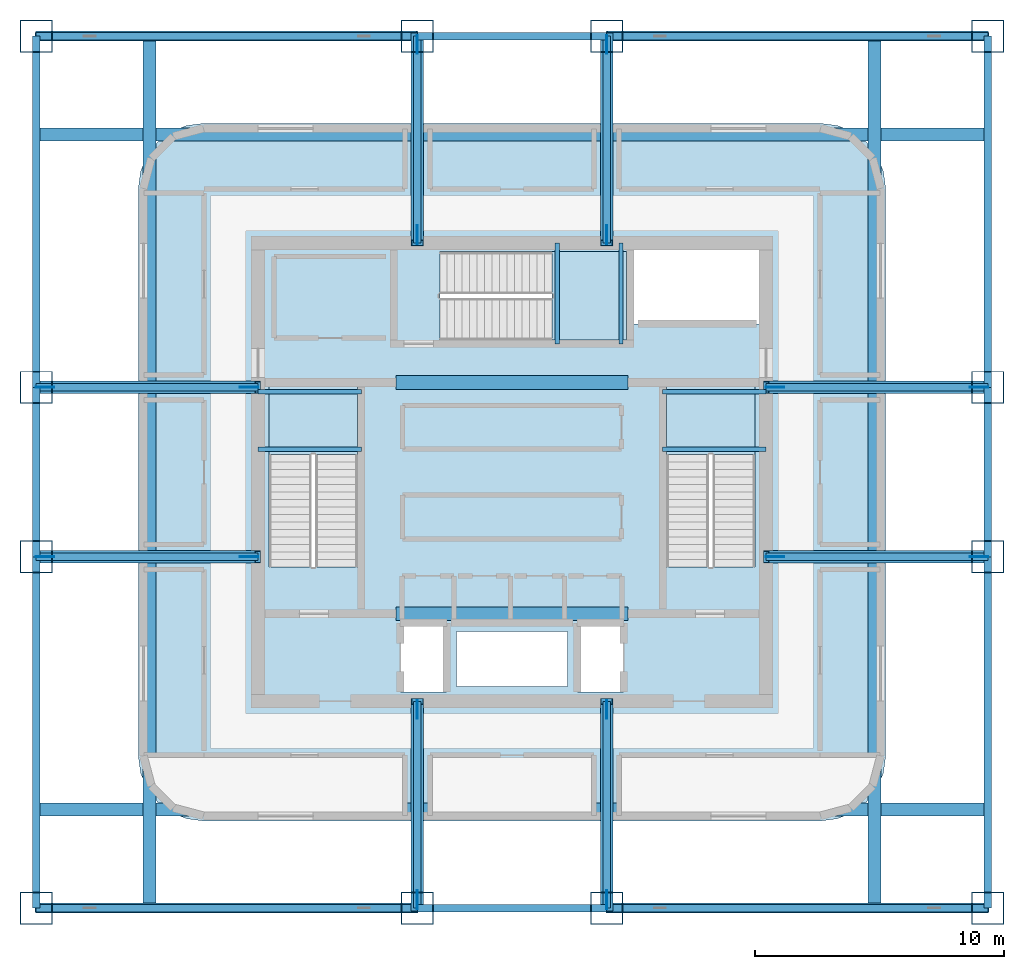
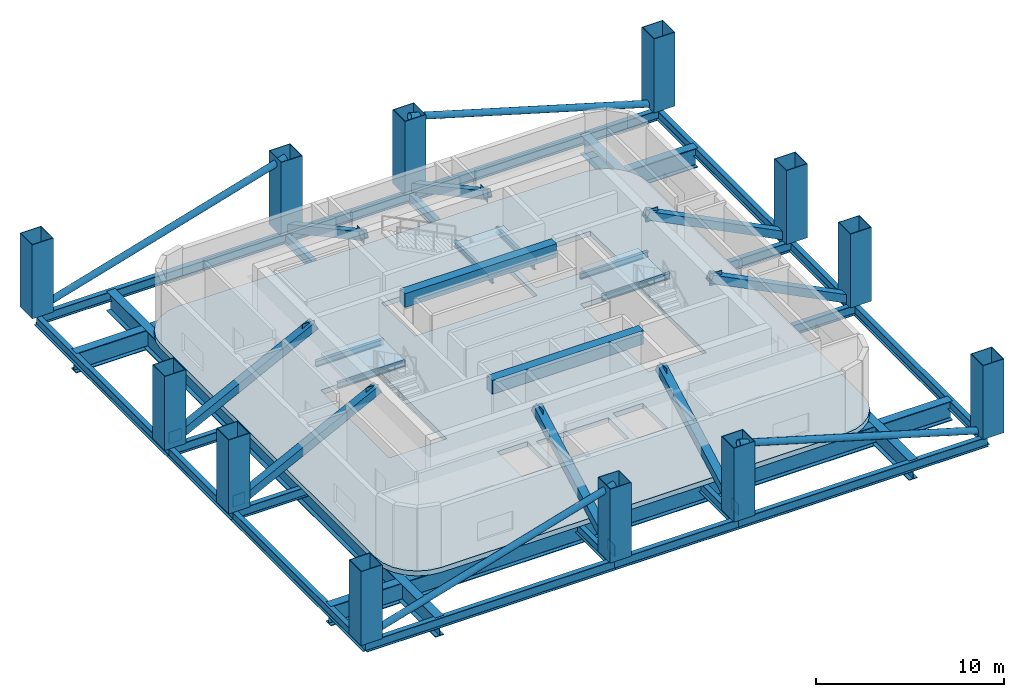
# One storey, part 1 of 8: 32 beams, 16 plates, 12 columns, 12 members, 4 slabs, 3 elements without a shape of their own.
"""IFC4 building model written with IfcOpenShell, lengths in metres."""

from ifc_helpers import new_model, si_unit, direction, frame, origin, origin_2d, place, context, subcontext, project, spatial, polyline, rectangle, hollow_rectangle, hollow_circle, i_section, outline, extrude, material, layer, layer_set, material_profile, profile_set, type_object, element, aggregate, save


model = new_model("IFC4")

# Units and contexts
model_context = context("Model", 3, precision=1e-05, world=origin(), true_north=direction((0.0, 1.0)))
body_context = subcontext(model_context, "Body", "Model", "MODEL_VIEW")
ifc_project = project(units=[si_unit("LENGTHUNIT", "METRE"), si_unit("AREAUNIT", "SQUARE_METRE"), si_unit("VOLUMEUNIT", "CUBIC_METRE"), si_unit("PLANEANGLEUNIT", "RADIAN"), si_unit("MASSUNIT", "GRAM", prefix="KILO")], contexts=[model_context])

# Site, building, storey
site_placement = place(None, origin())
site = spatial("IfcSite", under=ifc_project, at=site_placement, CompositionType="ELEMENT")
building_placement = place(site_placement, origin())
building = spatial("IfcBuilding", under=site, at=building_placement, Name="Punatoya Terracotta Tower", CompositionType="ELEMENT")
storey_placement = place(building_placement, frame((0.0, 0.0, 241.800048828125)))
storey = spatial("IfcBuildingStorey", under=building, at=storey_placement, Name="L57", CompositionType="ELEMENT", Elevation=241.800048828125)

# Columns
ifc_material_1 = material(Name="Steel S460", Category="steel")
ifc_material_profile_1 = material_profile(ifc_material_1, hollow_rectangle(XDim=1.300048828125, YDim=1.300048828125, WallThickness=0.0380859375, at=origin_2d()))
ifc_profile_set_1 = profile_set([ifc_material_profile_1], Name="Steel S460")
column_type = type_object("IfcColumnType", Name="COL-MC-Z3", PredefinedType="COLUMN", material=ifc_profile_set_1)
for number, where, z_axis, x_axis, name in (
    (1, (-19.10009765625, -17.5, 0.0), (0.0, 0.0, 1.0), (1.0, 0.0, 0.0), "L57 Composite Mega-Column MC-01 (3-B)"),
    (2, (-3.800048828125, -17.5, 0.0), (0.0, 0.0, 1.0), (1.0, 0.0, 0.0), "L57 Composite Mega-Column MC-02 (5-B)"),
    (3, (3.800048828125, -17.5, 0.0), (0.0, 0.0, 1.0), (1.0, 0.0, 0.0), "L57 Composite Mega-Column MC-03 (7-B)"),
    (4, (19.10009765625, -17.5, 0.0), (0.0, 0.0, 1.0), (1.0, 0.0, 0.0), "L57 Composite Mega-Column MC-04 (9-B)"),
    (5, (19.10009765625, -3.39990234375, 0.0), (0.0, 0.0, 1.0), (1.0, 0.0, 0.0), "L57 Composite Mega-Column MC-05 (9-D)"),
    (6, (19.10009765625, 3.39990234375, 0.0), (0.0, 0.0, 1.0), (1.0, 0.0, 0.0), "L57 Composite Mega-Column MC-06 (9-E)"),
    (7, (19.10009765625, 17.5, 0.0), (0.0, 0.0, 1.0), (1.0, 0.0, 0.0), "L57 Composite Mega-Column MC-07 (9-G)"),
    (8, (3.800048828125, 17.5, 0.0), (0.0, 0.0, 1.0), (1.0, 0.0, 0.0), "L57 Composite Mega-Column MC-08 (7-G)"),
    (9, (-3.800048828125, 17.5, 0.0), (0.0, 0.0, 1.0), (1.0, 0.0, 0.0), "L57 Composite Mega-Column MC-09 (5-G)"),
    (10, (-19.10009765625, 17.5, 0.0), (0.0, 0.0, 1.0), (1.0, 0.0, 0.0), "L57 Composite Mega-Column MC-10 (3-G)"),
    (11, (-19.10009765625, 3.39990234375, 0.0), (0.0, 0.0, 1.0), (1.0, 0.0, 0.0), "L57 Composite Mega-Column MC-11 (3-E)"),
    (12, (-19.10009765625, -3.39990234375, 0.0), (0.0, 0.0, 1.0), (1.0, 0.0, 0.0), "L57 Composite Mega-Column MC-12 (3-D)"),
):
    element("IfcColumn", number, at=place(storey_placement, frame(where, z_axis=z_axis, x_axis=x_axis)), inside=storey, type_object=column_type, Name=name, PredefinedType="COLUMN", context=body_context, shape_type="SweptSolid", body=[
        extrude(hollow_rectangle(XDim=1.300048828125, YDim=1.300048828125, WallThickness=0.0380859375, at=origin_2d()), origin(), (0.0, 0.0, 1.0), 4.800048828125),
    ])

# Beams
ifc_material_2 = material(Name="Steel S355", Category="steel")
ifc_material_profile_2 = material_profile(ifc_material_2, i_section(OverallWidth=0.300048828125, OverallDepth=0.64990234375, WebThickness=0.01611328125, FlangeThickness=0.031005859375, FilletRadius=0.01806640625, at=origin_2d()))
ifc_profile_set_2 = profile_set([ifc_material_profile_2], Name="Steel S355")
beam_type_1 = type_object("IfcBeamType", Name="BM-PRI-650", PredefinedType="BEAM", material=ifc_profile_set_2)
beam_1_placement = place(storey_placement, frame((-19.10009765625, -17.5, -0.64501953125), z_axis=(1.0, 0.0, 0.0), x_axis=(0.0, 1.0, 0.0)))
element("IfcBeam", 13, at=beam_1_placement, inside=storey, type_object=beam_type_1, Name="BM-L57-RG-S1", PredefinedType="BEAM", context=body_context, shape_type="SweptSolid", body=[
    extrude(i_section(OverallWidth=0.300048828125, OverallDepth=0.64990234375, WebThickness=0.01611328125, FlangeThickness=0.031005859375, FilletRadius=0.01806640625, at=origin_2d()), origin(), (0.0, 0.0, 1.0), 15.300048828125),
])
beam_2_placement = place(storey_placement, frame((-3.800048828125, -17.5, -0.64501953125), z_axis=(1.0, 0.0, 0.0), x_axis=(0.0, 1.0, 0.0)))
element("IfcBeam", 14, at=beam_2_placement, inside=storey, type_object=beam_type_1, Name="BM-L57-RG-S2", PredefinedType="BEAM", context=body_context, shape_type="SweptSolid", body=[
    extrude(i_section(OverallWidth=0.300048828125, OverallDepth=0.64990234375, WebThickness=0.01611328125, FlangeThickness=0.031005859375, FilletRadius=0.01806640625, at=origin_2d()), origin(), (0.0, 0.0, 1.0), 7.60009765625),
])
for number, where, z_axis, x_axis, name in (
    (15, (3.800048828125, -17.5, -0.64501953125), (1.0, 0.0, 0.0), (0.0, 1.0, 0.0), "BM-L57-RG-S3"),
    (16, (-19.10009765625, 17.5, -0.64501953125), (1.0, 0.0, 0.0), (0.0, 1.0, 0.0), "BM-L57-RG-N1"),
):
    element("IfcBeam", number, at=place(storey_placement, frame(where, z_axis=z_axis, x_axis=x_axis)), inside=storey, type_object=beam_type_1, Name=name, PredefinedType="BEAM", context=body_context, shape_type="SweptSolid", body=[
        extrude(i_section(OverallWidth=0.300048828125, OverallDepth=0.64990234375, WebThickness=0.01611328125, FlangeThickness=0.031005859375, FilletRadius=0.01806640625, at=origin_2d()), origin(), (0.0, 0.0, 1.0), 15.300048828125),
    ])
beam_3_placement = place(storey_placement, frame((-3.800048828125, 17.5, -0.64501953125), z_axis=(1.0, 0.0, 0.0), x_axis=(0.0, 1.0, 0.0)))
element("IfcBeam", 17, at=beam_3_placement, inside=storey, type_object=beam_type_1, Name="BM-L57-RG-N2", PredefinedType="BEAM", context=body_context, shape_type="SweptSolid", body=[
    extrude(i_section(OverallWidth=0.300048828125, OverallDepth=0.64990234375, WebThickness=0.01611328125, FlangeThickness=0.031005859375, FilletRadius=0.01806640625, at=origin_2d()), origin(), (0.0, 0.0, 1.0), 7.60009765625),
])
beam_4_placement = place(storey_placement, frame((3.800048828125, 17.5, -0.64501953125), z_axis=(1.0, 0.0, 0.0), x_axis=(0.0, 1.0, 0.0)))
element("IfcBeam", 18, at=beam_4_placement, inside=storey, type_object=beam_type_1, Name="BM-L57-RG-N3", PredefinedType="BEAM", context=body_context, shape_type="SweptSolid", body=[
    extrude(i_section(OverallWidth=0.300048828125, OverallDepth=0.64990234375, WebThickness=0.01611328125, FlangeThickness=0.031005859375, FilletRadius=0.01806640625, at=origin_2d()), origin(), (0.0, 0.0, 1.0), 15.300048828125),
])
beam_5_placement = place(storey_placement, frame((-19.10009765625, -17.5, -0.64501953125), z_axis=(0.0, 1.0, 0.0), x_axis=(-1.0, 0.0, 0.0)))
element("IfcBeam", 19, at=beam_5_placement, inside=storey, type_object=beam_type_1, Name="BM-L57-RG-W1", PredefinedType="BEAM", context=body_context, shape_type="SweptSolid", body=[
    extrude(i_section(OverallWidth=0.300048828125, OverallDepth=0.64990234375, WebThickness=0.01611328125, FlangeThickness=0.031005859375, FilletRadius=0.01806640625, at=origin_2d()), origin(), (0.0, 0.0, 1.0), 14.10009765625),
])
beam_6_placement = place(storey_placement, frame((-19.10009765625, -3.39990234375, -0.64501953125), z_axis=(0.0, 1.0, 0.0), x_axis=(-1.0, 0.0, 0.0)))
element("IfcBeam", 20, at=beam_6_placement, inside=storey, type_object=beam_type_1, Name="BM-L57-RG-W2", PredefinedType="BEAM", context=body_context, shape_type="SweptSolid", body=[
    extrude(i_section(OverallWidth=0.300048828125, OverallDepth=0.64990234375, WebThickness=0.01611328125, FlangeThickness=0.031005859375, FilletRadius=0.01806640625, at=origin_2d()), origin(), (0.0, 0.0, 1.0), 6.7998046875),
])
for number, where, z_axis, x_axis, name in (
    (21, (-19.10009765625, 3.39990234375, -0.64501953125), (0.0, 1.0, 0.0), (-1.0, 0.0, 0.0), "BM-L57-RG-W3"),
    (22, (19.10009765625, -17.5, -0.64501953125), (0.0, 1.0, 0.0), (-1.0, 0.0, 0.0), "BM-L57-RG-E1"),
):
    element("IfcBeam", number, at=place(storey_placement, frame(where, z_axis=z_axis, x_axis=x_axis)), inside=storey, type_object=beam_type_1, Name=name, PredefinedType="BEAM", context=body_context, shape_type="SweptSolid", body=[
        extrude(i_section(OverallWidth=0.300048828125, OverallDepth=0.64990234375, WebThickness=0.01611328125, FlangeThickness=0.031005859375, FilletRadius=0.01806640625, at=origin_2d()), origin(), (0.0, 0.0, 1.0), 14.10009765625),
    ])
beam_7_placement = place(storey_placement, frame((19.10009765625, -3.39990234375, -0.64501953125), z_axis=(0.0, 1.0, 0.0), x_axis=(-1.0, 0.0, 0.0)))
element("IfcBeam", 23, at=beam_7_placement, inside=storey, type_object=beam_type_1, Name="BM-L57-RG-E2", PredefinedType="BEAM", context=body_context, shape_type="SweptSolid", body=[
    extrude(i_section(OverallWidth=0.300048828125, OverallDepth=0.64990234375, WebThickness=0.01611328125, FlangeThickness=0.031005859375, FilletRadius=0.01806640625, at=origin_2d()), origin(), (0.0, 0.0, 1.0), 6.7998046875),
])
beam_8_placement = place(storey_placement, frame((19.10009765625, 3.39990234375, -0.64501953125), z_axis=(0.0, 1.0, 0.0), x_axis=(-1.0, 0.0, 0.0)))
element("IfcBeam", 24, at=beam_8_placement, inside=storey, type_object=beam_type_1, Name="BM-L57-RG-E3", PredefinedType="BEAM", context=body_context, shape_type="SweptSolid", body=[
    extrude(i_section(OverallWidth=0.300048828125, OverallDepth=0.64990234375, WebThickness=0.01611328125, FlangeThickness=0.031005859375, FilletRadius=0.01806640625, at=origin_2d()), origin(), (0.0, 0.0, 1.0), 14.10009765625),
])
for number, where, z_axis, x_axis, name in (
    (25, (-19.10009765625, -3.39990234375, -0.64501953125), (1.0, 0.0, 0.0), (0.0, 1.0, 0.0), "BM-L57-PR-WD"),
    (26, (-19.10009765625, 3.39990234375, -0.64501953125), (1.0, 0.0, 0.0), (0.0, 1.0, 0.0), "BM-L57-PR-WE"),
    (27, (10.199951171875, -3.39990234375, -0.64501953125), (1.0, 0.0, 0.0), (0.0, 1.0, 0.0), "BM-L57-PR-ED"),
    (28, (10.199951171875, 3.39990234375, -0.64501953125), (1.0, 0.0, 0.0), (0.0, 1.0, 0.0), "BM-L57-PR-EE"),
):
    element("IfcBeam", number, at=place(storey_placement, frame(where, z_axis=z_axis, x_axis=x_axis)), inside=storey, type_object=beam_type_1, Name=name, PredefinedType="BEAM", context=body_context, shape_type="SweptSolid", body=[
        extrude(i_section(OverallWidth=0.300048828125, OverallDepth=0.64990234375, WebThickness=0.01611328125, FlangeThickness=0.031005859375, FilletRadius=0.01806640625, at=origin_2d()), origin(), (0.0, 0.0, 1.0), 8.900146484375),
    ])
for number, where, z_axis, x_axis, name in (
    (29, (-3.800048828125, -17.5, -0.64501953125), (0.0, 1.0, 0.0), (-1.0, 0.0, 0.0), "BM-L57-PR-S2"),
    (30, (3.800048828125, -17.5, -0.64501953125), (0.0, 1.0, 0.0), (-1.0, 0.0, 0.0), "BM-L57-PR-S3"),
    (31, (-3.800048828125, 9.199951171875, -0.64501953125), (0.0, 1.0, 0.0), (-1.0, 0.0, 0.0), "BM-L57-PR-N2"),
    (32, (3.800048828125, 9.199951171875, -0.64501953125), (0.0, 1.0, 0.0), (-1.0, 0.0, 0.0), "BM-L57-PR-N3"),
):
    element("IfcBeam", number, at=place(storey_placement, frame(where, z_axis=z_axis, x_axis=x_axis)), inside=storey, type_object=beam_type_1, Name=name, PredefinedType="BEAM", context=body_context, shape_type="SweptSolid", body=[
        extrude(i_section(OverallWidth=0.300048828125, OverallDepth=0.64990234375, WebThickness=0.01611328125, FlangeThickness=0.031005859375, FilletRadius=0.01806640625, at=origin_2d()), origin(), (0.0, 0.0, 1.0), 8.300048828125),
    ])
ifc_material_3 = material(Name="Concrete C50/60", Category="concrete")
ifc_material_profile_3 = material_profile(ifc_material_3, rectangle(XDim=0.550048828125, YDim=0.89990234375, at=origin_2d()))
ifc_profile_set_3 = profile_set([ifc_material_profile_3], Name="Concrete C50/60")
beam_type_2 = type_object("IfcBeamType", Name="BM-RC-900", PredefinedType="LINTEL", material=ifc_profile_set_3)
for number, where, z_axis, x_axis, name in (
    (33, (-4.64990234375, -5.679931640625, 4.08984375), (1.0, 0.0, 0.0), (0.0, 1.0, 0.0), "L57 Core Coupling Lintel CSW"),
    (34, (-4.64990234375, 3.60009765625, 4.08984375), (1.0, 0.0, 0.0), (0.0, 1.0, 0.0), "L57 Core Coupling Lintel CNW"),
):
    element("IfcBeam", number, at=place(storey_placement, frame(where, z_axis=z_axis, x_axis=x_axis)), inside=storey, type_object=beam_type_2, Name=name, PredefinedType="LINTEL", context=body_context, shape_type="SweptSolid", body=[
        extrude(rectangle(XDim=0.550048828125, YDim=0.89990234375, at=origin_2d()), origin(), (0.0, 0.0, 1.0), 9.2998046875),
    ])
ifc_material_profile_4 = material_profile(ifc_material_2, i_section(OverallWidth=0.169921875, OverallDepth=0.360107421875, WebThickness=0.008056640625, FlangeThickness=0.0126953125, FilletRadius=0.01806640625, at=origin_2d()))
ifc_profile_set_4 = profile_set([ifc_material_profile_4], Name="Steel S355")
beam_type_3 = type_object("IfcBeamType", Name="BM-SEC-360", PredefinedType="JOIST", material=ifc_profile_set_4)
for number, where, z_axis, x_axis, name in (
    (35, (-10.199951171875, 0.919921875, 2.02001953125), (1.0, 0.0, 0.0), (0.0, 1.0, 0.0), "BM-L57-ST-1-LD1A"),
    (36, (-10.199951171875, 3.22998046875, 2.02001953125), (1.0, 0.0, 0.0), (0.0, 1.0, 0.0), "BM-L57-ST-1-LD1B"),
    (37, (6.050048828125, 0.919921875, 2.02001953125), (1.0, 0.0, 0.0), (0.0, 1.0, 0.0), "BM-L57-ST-2-LD1A"),
    (38, (6.050048828125, 3.22998046875, 2.02001953125), (1.0, 0.0, 0.0), (0.0, 1.0, 0.0), "BM-L57-ST-2-LD1B"),
):
    element("IfcBeam", number, at=place(storey_placement, frame(where, z_axis=z_axis, x_axis=x_axis)), inside=storey, type_object=beam_type_3, Name=name, PredefinedType="JOIST", context=body_context, shape_type="SweptSolid", body=[
        extrude(i_section(OverallWidth=0.169921875, OverallDepth=0.360107421875, WebThickness=0.008056640625, FlangeThickness=0.0126953125, FilletRadius=0.01806640625, at=origin_2d()), origin(), (0.0, 0.0, 1.0), 4.14990234375),
    ])
for number, where, z_axis, x_axis, name in (
    (39, (1.820068359375, 5.14990234375, 2.02001953125), (0.0, 1.0, 0.0), (-1.0, 0.0, 0.0), "BM-L57-ST-3-LD1A"),
    (40, (4.3798828125, 5.14990234375, 2.02001953125), (0.0, 1.0, 0.0), (-1.0, 0.0, 0.0), "BM-L57-ST-3-LD1B"),
):
    element("IfcBeam", number, at=place(storey_placement, frame(where, z_axis=z_axis, x_axis=x_axis)), inside=storey, type_object=beam_type_3, Name=name, PredefinedType="JOIST", context=body_context, shape_type="SweptSolid", body=[
        extrude(i_section(OverallWidth=0.169921875, OverallDepth=0.360107421875, WebThickness=0.008056640625, FlangeThickness=0.0126953125, FilletRadius=0.01806640625, at=origin_2d()), origin(), (0.0, 0.0, 1.0), 4.050048828125),
    ])
ifc_material_profile_5 = material_profile(ifc_material_1, i_section(OverallWidth=0.52001953125, OverallDepth=1.280029296875, WebThickness=0.031982421875, FlangeThickness=0.050048828125, FilletRadius=0.01806640625, at=origin_2d()))
ifc_profile_set_5 = profile_set([ifc_material_profile_5], Name="Steel S460")
beam_type_4 = type_object("IfcBeamType", Name="BM-TG-NCK", PredefinedType="BEAM", material=ifc_profile_set_5)
for number, where, z_axis, x_axis, name in (
    (41, (-19.10009765625, -13.550048828125, -0.9599609375), (1.0, 0.0, 0.0), (0.0, 1.0, 0.0), "BM-L57-NCK-S"),
    (42, (-19.10009765625, 13.550048828125, -0.9599609375), (1.0, 0.0, 0.0), (0.0, 1.0, 0.0), "BM-L57-NCK-N"),
):
    element("IfcBeam", number, at=place(storey_placement, frame(where, z_axis=z_axis, x_axis=x_axis)), inside=storey, type_object=beam_type_4, Name=name, PredefinedType="BEAM", context=body_context, shape_type="SweptSolid", body=[
        extrude(i_section(OverallWidth=0.52001953125, OverallDepth=1.280029296875, WebThickness=0.031982421875, FlangeThickness=0.050048828125, FilletRadius=0.01806640625, at=origin_2d()), origin(), (0.0, 0.0, 1.0), 38.2001953125),
    ])
for number, where, z_axis, x_axis, name in (
    (43, (-14.550048828125, -17.5, -0.9599609375), (0.0, 1.0, 0.0), (-1.0, 0.0, 0.0), "BM-L57-NCK-W"),
    (44, (14.550048828125, -17.5, -0.9599609375), (0.0, 1.0, 0.0), (-1.0, 0.0, 0.0), "BM-L57-NCK-E"),
):
    element("IfcBeam", number, at=place(storey_placement, frame(where, z_axis=z_axis, x_axis=x_axis)), inside=storey, type_object=beam_type_4, Name=name, PredefinedType="BEAM", context=body_context, shape_type="SweptSolid", body=[
        extrude(i_section(OverallWidth=0.52001953125, OverallDepth=1.280029296875, WebThickness=0.031982421875, FlangeThickness=0.050048828125, FilletRadius=0.01806640625, at=origin_2d()), origin(), (0.0, 0.0, 1.0), 35.0),
    ])

# Members
ifc_material_profile_6 = material_profile(ifc_material_1, hollow_circle(Radius=0.202880859375, WallThickness=0.02001953125, at=origin_2d()))
ifc_profile_set_6 = profile_set([ifc_material_profile_6], Name="Steel S460")
member_type_1 = type_object("IfcMemberType", Name="MEM-NCK-CHS", PredefinedType="STRUT", material=ifc_profile_set_6)
for number, where, z_axis, x_axis, name in (
    (45, (-19.10009765625, -17.5, 0.02001953125), (0.959365745336, 0.0, 0.28216549519), (0.0, 1.0, 0.0), "L57 Baradari Colonnade Ring Strut NST-1"),
    (46, (3.800048828125, -17.5, 4.52001953125), (0.959365745336, 0.0, -0.28216549519), (0.0, 1.0, 0.0), "L57 Baradari Colonnade Ring Strut NST-2"),
    (47, (-19.10009765625, 17.5, 0.02001953125), (0.959365745336, 0.0, 0.28216549519), (0.0, 1.0, 0.0), "L57 Baradari Colonnade Ring Strut NST-3"),
    (48, (3.800048828125, 17.5, 4.52001953125), (0.959365745336, 0.0, -0.28216549519), (0.0, 1.0, 0.0), "L57 Baradari Colonnade Ring Strut NST-4"),
):
    element("IfcMember", number, at=place(storey_placement, frame(where, z_axis=z_axis, x_axis=x_axis)), inside=storey, type_object=member_type_1, Name=name, PredefinedType="STRUT", context=body_context, shape_type="SweptSolid", body=[
        extrude(hollow_circle(Radius=0.202880859375, WallThickness=0.02001953125, at=origin_2d()), origin(), (0.0, 0.0, 1.0), 15.947998046875),
    ])
ifc_material_profile_7 = material_profile(ifc_material_1, hollow_rectangle(XDim=0.5, YDim=0.5, WallThickness=0.028076171875, at=origin_2d()))
ifc_profile_set_7 = profile_set([ifc_material_profile_7], Name="Steel S460")
member_type_2 = type_object("IfcMemberType", Name="MEM-OUT-500", PredefinedType="BRACE", material=ifc_profile_set_7)
for number, where, z_axis, x_axis, name in (
    (49, (-10.199951171875, -3.39990234375, 4.52001953125), (-0.892415766593, 0.0, -0.451214028524), (0.0, -1.0, 0.0), "L57 Outrigger Truss Diagonal WS"),
    (50, (-10.199951171875, 3.39990234375, 4.52001953125), (-0.892415766593, 0.0, -0.451214028524), (0.0, -1.0, 0.0), "L57 Outrigger Truss Diagonal WN"),
    (51, (10.199951171875, -3.39990234375, 4.52001953125), (0.892415766593, 0.0, -0.451214028524), (0.0, 1.0, 0.0), "L57 Outrigger Truss Diagonal ES"),
    (52, (10.199951171875, 3.39990234375, 4.52001953125), (0.892415766593, 0.0, -0.451214028524), (0.0, 1.0, 0.0), "L57 Outrigger Truss Diagonal EN"),
):
    element("IfcMember", number, at=place(storey_placement, frame(where, z_axis=z_axis, x_axis=x_axis)), inside=storey, type_object=member_type_2, Name=name, PredefinedType="BRACE", context=body_context, shape_type="SweptSolid", body=[
        extrude(hollow_rectangle(XDim=0.5, YDim=0.5, WallThickness=0.028076171875, at=origin_2d()), origin(), (0.0, 0.0, 1.0), 9.97314453125),
    ])
for number, where, z_axis, x_axis, name in (
    (53, (-3.800048828125, -9.199951171875, 4.52001953125), (0.0, -0.879108254421, -0.476622153292), (1.0, 0.0, 0.0), "L57 Outrigger Truss Diagonal SW"),
    (54, (3.800048828125, -9.199951171875, 4.52001953125), (0.0, -0.879108254421, -0.476622153292), (1.0, 0.0, 0.0), "L57 Outrigger Truss Diagonal SE"),
    (55, (-3.800048828125, 9.199951171875, 4.52001953125), (0.0, 0.879108254421, -0.476622153292), (-1.0, 0.0, 0.0), "L57 Outrigger Truss Diagonal NW"),
    (56, (3.800048828125, 9.199951171875, 4.52001953125), (0.0, 0.879108254421, -0.476622153292), (-1.0, 0.0, 0.0), "L57 Outrigger Truss Diagonal NE"),
):
    element("IfcMember", number, at=place(storey_placement, frame(where, z_axis=z_axis, x_axis=x_axis)), inside=storey, type_object=member_type_2, Name=name, PredefinedType="BRACE", context=body_context, shape_type="SweptSolid", body=[
        extrude(hollow_rectangle(XDim=0.5, YDim=0.5, WallThickness=0.028076171875, at=origin_2d()), origin(), (0.0, 0.0, 1.0), 9.44140625),
    ])

# Plates
ifc_layer_1 = layer(ifc_material_1, 0.035888671875)
ifc_layer_set_1 = layer_set([ifc_layer_1], Name="Steel S460")
plate_type = type_object("IfcPlateType", Name="PLT-GUS-36", PredefinedType="USERDEFINED", material=ifc_layer_set_1)
for number, where, z_axis, x_axis, name in (
    (57, (-10.555908203125, -3.39990234375, 3.96484375), (0.0, 0.0, 1.0), (1.0, 0.0, 0.0), "L57 Outrigger Core Gusset Plate WS"),
    (58, (-18.743896484375, -3.39990234375, -0.175048828125), (0.0, 0.0, 1.0), (1.0, 0.0, 0.0), "L57 Outrigger Mega-Column Gusset Plate WS"),
    (59, (-10.555908203125, 3.39990234375, 3.96484375), (0.0, 0.0, 1.0), (1.0, 0.0, 0.0), "L57 Outrigger Core Gusset Plate WN"),
    (60, (-18.743896484375, 3.39990234375, -0.175048828125), (0.0, 0.0, 1.0), (1.0, 0.0, 0.0), "L57 Outrigger Mega-Column Gusset Plate WN"),
    (61, (10.555908203125, -3.39990234375, 3.96484375), (0.0, 0.0, 1.0), (1.0, 0.0, 0.0), "L57 Outrigger Core Gusset Plate ES"),
    (62, (18.743896484375, -3.39990234375, -0.175048828125), (0.0, 0.0, 1.0), (1.0, 0.0, 0.0), "L57 Outrigger Mega-Column Gusset Plate ES"),
    (63, (10.555908203125, 3.39990234375, 3.96484375), (0.0, 0.0, 1.0), (1.0, 0.0, 0.0), "L57 Outrigger Core Gusset Plate EN"),
    (64, (18.743896484375, 3.39990234375, -0.175048828125), (0.0, 0.0, 1.0), (1.0, 0.0, 0.0), "L57 Outrigger Mega-Column Gusset Plate EN"),
    (65, (-3.800048828125, -9.531982421875, 3.96484375), (0.0, 0.0, 1.0), (0.0, 1.0, 0.0), "L57 Outrigger Core Gusset Plate SW"),
    (66, (-3.800048828125, -17.16796875, -0.175048828125), (0.0, 0.0, 1.0), (0.0, 1.0, 0.0), "L57 Outrigger Mega-Column Gusset Plate SW"),
    (67, (3.800048828125, -9.531982421875, 3.96484375), (0.0, 0.0, 1.0), (0.0, 1.0, 0.0), "L57 Outrigger Core Gusset Plate SE"),
    (68, (3.800048828125, -17.16796875, -0.175048828125), (0.0, 0.0, 1.0), (0.0, 1.0, 0.0), "L57 Outrigger Mega-Column Gusset Plate SE"),
    (69, (-3.800048828125, 9.531982421875, 3.96484375), (0.0, 0.0, 1.0), (0.0, 1.0, 0.0), "L57 Outrigger Core Gusset Plate NW"),
    (70, (-3.800048828125, 17.16796875, -0.175048828125), (0.0, 0.0, 1.0), (0.0, 1.0, 0.0), "L57 Outrigger Mega-Column Gusset Plate NW"),
    (71, (3.800048828125, 9.531982421875, 3.96484375), (0.0, 0.0, 1.0), (0.0, 1.0, 0.0), "L57 Outrigger Core Gusset Plate NE"),
    (72, (3.800048828125, 17.16796875, -0.175048828125), (0.0, 0.0, 1.0), (0.0, 1.0, 0.0), "L57 Outrigger Mega-Column Gusset Plate NE"),
):
    element("IfcPlate", number, at=place(storey_placement, frame(where, z_axis=z_axis, x_axis=x_axis)), inside=storey, type_object=plate_type, Name=name, ObjectType="GUSSET_PLATE", PredefinedType="USERDEFINED", context=body_context, shape_type="SweptSolid", body=[
        extrude(rectangle(XDim=0.75, YDim=0.035888671875, at=origin_2d()), origin(), (0.0, 0.0, 1.0), 0.75),
    ])

# Stair, slab
ifc_material_4 = material(Name="Concrete C40/50", Category="concrete")
stair_type_1 = type_object("IfcStairType", Name="STR-TER-1450", PredefinedType="HALF_TURN_STAIR", material=ifc_material_4)
stair_1_placement = place(storey_placement, origin())
stair_1 = element("IfcStair", 73, at=stair_1_placement, inside=storey, type_object=stair_type_1, Name="L57 Protected Core Exit Stair ST-3", PredefinedType="HALF_TURN_STAIR")
ifc_layer_2 = layer(ifc_material_4, 0.1650390625)
ifc_layer_set_2 = layer_set([ifc_layer_2], Name="Concrete C40/50")
slab_type_1 = type_object("IfcSlabType", Name="SLB-LND-165", PredefinedType="LANDING", material=ifc_layer_set_2)
slab_1_placement = place(storey_placement, frame((0.0, 0.0, 2.199951171875)))
slab_1 = element("IfcSlab", 74, at=slab_1_placement, type_object=slab_type_1, Name="ST-3 landing 1", PredefinedType="LANDING", context=body_context, shape_type="SweptSolid", body=[
    extrude(outline(polyline([(1.60009765625, 5.300048828125), (4.60009765625, 5.300048828125), (4.60009765625, 8.85009765625), (1.60009765625, 8.85009765625), (1.60009765625, 5.300048828125)])), origin(), (0.0, 0.0, 1.0), 0.199951171875),
])
aggregate(stair_1, [slab_1])

stair_type_2 = type_object("IfcStairType", Name="STR-CORE-1550", PredefinedType="HALF_TURN_STAIR", material=ifc_material_4)
stair_2_placement = place(storey_placement, origin())
stair_2 = element("IfcStair", 75, at=stair_2_placement, inside=storey, type_object=stair_type_2, Name="L57 Protected Core Exit Stair ST-1", PredefinedType="HALF_TURN_STAIR")
ifc_layer_3 = layer(ifc_material_4, 0.179931640625)
ifc_layer_set_3 = layer_set([ifc_layer_3], Name="Concrete C40/50")
slab_type_2 = type_object("IfcSlabType", Name="SLB-LND-180", PredefinedType="LANDING", material=ifc_layer_set_3)
slab_2_placement = place(storey_placement, frame((0.0, 0.0, 2.199951171875)))
slab_2 = element("IfcSlab", 76, at=slab_2_placement, type_object=slab_type_2, Name="ST-1 landing 1", PredefinedType="LANDING", context=body_context, shape_type="SweptSolid", body=[
    extrude(outline(polyline([(-6.199951171875, 0.699951171875), (-6.199951171875, 3.449951171875), (-9.75, 3.449951171875), (-9.75, 0.699951171875), (-6.199951171875, 0.699951171875)])), origin(), (0.0, 0.0, 1.0), 0.199951171875),
])
aggregate(stair_2, [slab_2])

stair_type_3 = type_object("IfcStairType", Name="STR-LOB-1650", PredefinedType="HALF_TURN_STAIR", material=ifc_material_4)
stair_3_placement = place(storey_placement, origin())
stair_3 = element("IfcStair", 77, at=stair_3_placement, inside=storey, type_object=stair_type_3, Name="L57 Protected Core Exit Stair ST-2", PredefinedType="HALF_TURN_STAIR")
slab_3_placement = place(storey_placement, frame((0.0, 0.0, 2.199951171875)))
slab_3 = element("IfcSlab", 78, at=slab_3_placement, type_object=slab_type_2, Name="ST-2 landing 1", PredefinedType="LANDING", context=body_context, shape_type="SweptSolid", body=[
    extrude(outline(polyline([(9.75, 0.699951171875), (9.75, 3.449951171875), (6.199951171875, 3.449951171875), (6.199951171875, 0.699951171875), (9.75, 0.699951171875)])), origin(), (0.0, 0.0, 1.0), 0.199951171875),
])
aggregate(stair_3, [slab_3])

# Slab
ifc_layer_4 = layer(ifc_material_4, 0.320068359375)
ifc_layer_set_4 = layer_set([ifc_layer_4], Name="Concrete C40/50")
slab_type_3 = type_object("IfcSlabType", Name="SLB-PLT-320", PredefinedType="FLOOR", material=ifc_layer_set_4)
slab_4_placement = place(storey_placement, frame((0.0, 0.0, -0.320068359375)))
element("IfcSlab", 79, at=slab_4_placement, inside=storey, type_object=slab_type_3, Name="L57 Structural Floor Slab", PredefinedType="FLOOR", context=body_context, shape_type="SweptSolid", body=[
    extrude(outline(polyline([(-12.39990234375, -14.0), (-13.072998046875, -13.911376953125), (-13.699951171875, -13.651611328125), (-14.238525390625, -13.238525390625), (-14.651611328125, -12.699951171875), (-14.911376953125, -12.072998046875), (-15.0, -11.39990234375), (-15.0, 11.39990234375), (-14.911376953125, 12.072998046875), (-14.651611328125, 12.699951171875), (-14.238525390625, 13.238525390625), (-13.699951171875, 13.651611328125), (-13.072998046875, 13.911376953125), (-12.39990234375, 14.0), (12.39990234375, 14.0), (13.072998046875, 13.911376953125), (13.699951171875, 13.651611328125), (14.238525390625, 13.238525390625), (14.651611328125, 12.699951171875), (14.911376953125, 12.072998046875), (15.0, 11.39990234375), (15.0, -11.39990234375), (14.911376953125, -12.072998046875), (14.651611328125, -12.699951171875), (14.238525390625, -13.238525390625), (13.699951171875, -13.651611328125), (13.072998046875, -13.911376953125), (12.39990234375, -14.0), (-12.39990234375, -14.0)]), holes=[polyline([(-2.6298828125, -6.179931640625), (-4.469970703125, -6.179931640625), (-4.469970703125, -8.820068359375), (-2.6298828125, -8.820068359375), (-2.6298828125, -6.179931640625)]), polyline([(-0.02001953125, -6.405029296875), (-2.219970703125, -6.405029296875), (-2.219970703125, -8.594970703125), (-0.02001953125, -8.594970703125), (0.02001953125, -8.594970703125), (2.219970703125, -8.594970703125), (2.219970703125, -6.405029296875), (0.02001953125, -6.405029296875), (-0.02001953125, -6.405029296875)]), polyline([(4.469970703125, -6.179931640625), (2.6298828125, -6.179931640625), (2.6298828125, -8.820068359375), (4.469970703125, -8.820068359375), (4.469970703125, -6.179931640625)]), polyline([(-9.75, 3.449951171875), (-9.75, -3.79931640625), (-6.199951171875, -3.79931640625), (-6.199951171875, 3.449951171875), (-9.75, 3.449951171875)]), polyline([(6.199951171875, 3.449951171875), (6.199951171875, -3.79931640625), (9.75, -3.79931640625), (9.75, 3.449951171875), (6.199951171875, 3.449951171875)]), polyline([(4.60009765625, 8.85009765625), (-2.899169921875, 8.85009765625), (-2.899169921875, 5.300048828125), (4.60009765625, 5.300048828125), (4.60009765625, 8.85009765625)]), polyline([(10.050048828125, 9.050048828125), (4.89990234375, 9.050048828125), (4.89990234375, 5.949951171875), (10.050048828125, 5.949951171875), (10.050048828125, 9.050048828125)])]), origin(), (0.0, 0.0, 1.0), 0.320068359375),
])

save(model, "model.ifc")
